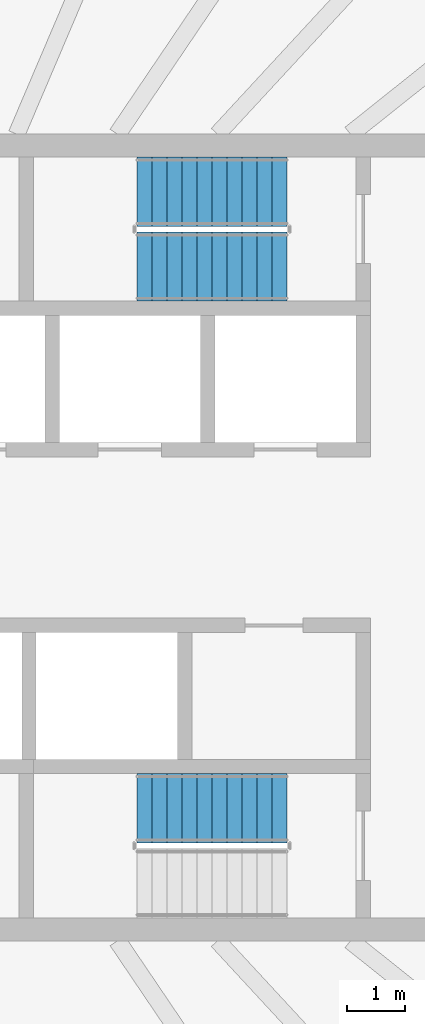
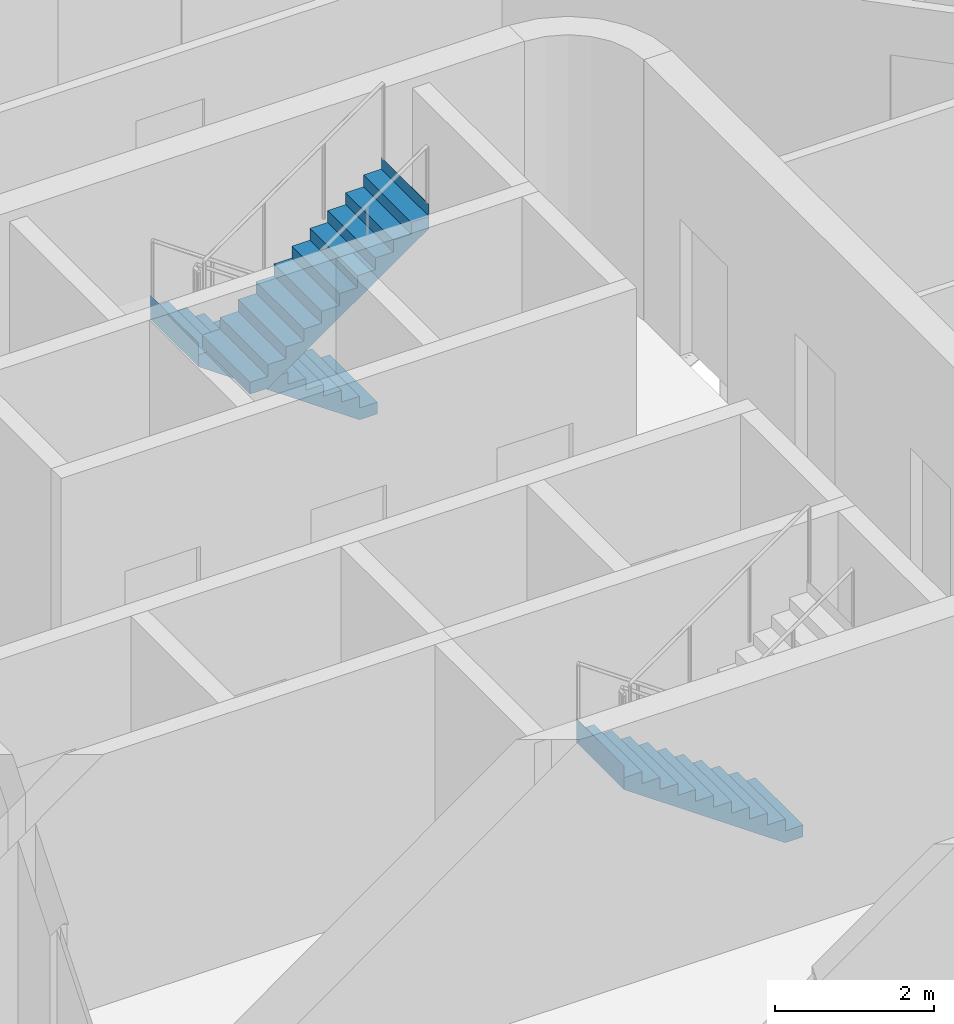
# One storey, part 13 of 19: 3 stair flights, 2 elements without a shape of their own.
"""IFC4 building model written with IfcOpenShell, lengths in metres."""

from ifc_helpers import new_model, si_unit, direction, frame, origin, place, context, subcontext, project, spatial, triangles, material, type_object, element, aggregate, save


model = new_model("IFC4")

# Units and contexts
model_context = context("Model", 3, precision=1e-05, world=origin(), true_north=direction((0.0, 1.0)))
body_context = subcontext(model_context, "Body", "Model", "MODEL_VIEW")
ifc_project = project(units=[si_unit("LENGTHUNIT", "METRE"), si_unit("AREAUNIT", "SQUARE_METRE"), si_unit("VOLUMEUNIT", "CUBIC_METRE"), si_unit("PLANEANGLEUNIT", "RADIAN"), si_unit("MASSUNIT", "GRAM", prefix="KILO")], contexts=[model_context])

# Site, building, storey
site_placement = place(None, origin())
site = spatial("IfcSite", under=ifc_project, at=site_placement, CompositionType="ELEMENT")
building_placement = place(site_placement, origin())
building = spatial("IfcBuilding", under=site, at=building_placement, Name="Sahrelin Media Tower", CompositionType="ELEMENT")
storey_placement = place(building_placement, frame((0.0, 0.0, 279.0)))
storey = spatial("IfcBuildingStorey", under=building, at=storey_placement, Name="L61", CompositionType="ELEMENT", Elevation=279.0)

# Stair, stair flights
ifc_material = material(Name="Concrete C40/50", Category="concrete")
stair_type = type_object("IfcStairType", Name="Exit stair 1200", PredefinedType="HALF_TURN_STAIR", material=ifc_material)
placement = place(storey_placement, origin())
stair_1 = element("IfcStair", 1, at=placement, inside=storey, type_object=stair_type, Name="L61 Exit stair ST3", PredefinedType="HALF_TURN_STAIR")
stair_flight_type = type_object("IfcStairFlightType", Name="Stair flight 1200", PredefinedType="STRAIGHT", material=ifc_material)
stair_flight_1_placement = place(storey_placement, frame((7.675048828125, 6.0, 0.0), z_axis=(0.0, 0.0, 1.0), x_axis=(-1.0, 0.0, 0.0)))
stair_flight_1 = element("IfcStairFlight", 2, at=stair_flight_1_placement, type_object=stair_flight_type, Name="ST3 flight 1", NumberOfRisers=11, NumberOfTreads=10, PredefinedType="STRAIGHT", RiserHeight=0.181818182, TreadLength=0.26, context=body_context, shape_type="Tessellation", body=[
    triangles([(0.261474609375, 0.60009765625, 0.0), (0.261474609375, 0.300048828125, 0.0), (0.261474609375, 0.0, 0.0), (0.261474609375, -0.300048828125, 0.0), (0.261474609375, -0.60009765625, 0.0), (2.60009765625, 0.60009765625, 1.63525390625), (2.60009765625, 0.300048828125, 1.63525390625), (2.60009765625, 0.0, 1.63525390625), (2.60009765625, -0.300048828125, 1.63525390625), (2.60009765625, -0.60009765625, 1.63525390625), (2.60009765625, 0.60009765625, 2.0), (2.60009765625, 0.300048828125, 2.0), (2.60009765625, 0.0, 2.0), (2.60009765625, -0.300048828125, 2.0), (2.60009765625, -0.60009765625, 2.0), (2.597900390625, 0.60009765625, 2.0), (2.597900390625, 0.300048828125, 2.0), (2.597900390625, 0.0, 2.0), (2.597900390625, -0.300048828125, 2.0), (2.597900390625, -0.60009765625, 2.0), (2.597900390625, 0.60009765625, 1.818115234375), (2.597900390625, 0.300048828125, 1.818115234375), (2.597900390625, 0.0, 1.818115234375), (2.597900390625, -0.300048828125, 1.818115234375), (2.597900390625, -0.60009765625, 1.818115234375), (2.340087890625, 0.60009765625, 1.818115234375), (2.340087890625, 0.300048828125, 1.818115234375), (2.340087890625, 0.0, 1.818115234375), (2.340087890625, -0.300048828125, 1.818115234375), (2.340087890625, -0.60009765625, 1.818115234375), (2.340087890625, 0.60009765625, 1.636474609375), (2.340087890625, 0.300048828125, 1.636474609375), (2.340087890625, 0.0, 1.636474609375), (2.340087890625, -0.300048828125, 1.636474609375), (2.340087890625, -0.60009765625, 1.636474609375), (2.080078125, 0.60009765625, 1.636474609375), (2.080078125, 0.300048828125, 1.636474609375), (2.080078125, 0.0, 1.636474609375), (2.080078125, -0.300048828125, 1.636474609375), (2.080078125, -0.60009765625, 1.636474609375), (2.080078125, 0.60009765625, 1.45458984375), (2.080078125, 0.300048828125, 1.45458984375), (2.080078125, 0.0, 1.45458984375), (2.080078125, -0.300048828125, 1.45458984375), (2.080078125, -0.60009765625, 1.45458984375), (1.820068359375, 0.60009765625, 1.45458984375), (1.820068359375, 0.300048828125, 1.45458984375), (1.820068359375, 0.0, 1.45458984375), (1.820068359375, -0.300048828125, 1.45458984375), (1.820068359375, -0.60009765625, 1.45458984375), (1.820068359375, 0.60009765625, 1.272705078125), (1.820068359375, 0.300048828125, 1.272705078125), (1.820068359375, 0.0, 1.272705078125), (1.820068359375, -0.300048828125, 1.272705078125), (1.820068359375, -0.60009765625, 1.272705078125), (1.56005859375, 0.60009765625, 1.272705078125), (1.56005859375, 0.300048828125, 1.272705078125), (1.56005859375, 0.0, 1.272705078125), (1.56005859375, -0.300048828125, 1.272705078125), (1.56005859375, -0.60009765625, 1.272705078125), (1.56005859375, 0.60009765625, 1.0908203125), (1.56005859375, 0.300048828125, 1.0908203125), (1.56005859375, 0.0, 1.0908203125), (1.56005859375, -0.300048828125, 1.0908203125), (1.56005859375, -0.60009765625, 1.0908203125), (1.300048828125, 0.60009765625, 1.0908203125), (1.300048828125, 0.300048828125, 1.0908203125), (1.300048828125, 0.0, 1.0908203125), (1.300048828125, -0.300048828125, 1.0908203125), (1.300048828125, -0.60009765625, 1.0908203125), (1.300048828125, 0.60009765625, 0.9091796875), (1.300048828125, 0.300048828125, 0.9091796875), (1.300048828125, 0.0, 0.9091796875), (1.300048828125, -0.300048828125, 0.9091796875), (1.300048828125, -0.60009765625, 0.9091796875), (1.0400390625, 0.60009765625, 0.9091796875), (1.0400390625, 0.300048828125, 0.9091796875), (1.0400390625, 0.0, 0.9091796875), (1.0400390625, -0.300048828125, 0.9091796875), (1.0400390625, -0.60009765625, 0.9091796875), (1.0400390625, 0.60009765625, 0.727294921875), (1.0400390625, 0.300048828125, 0.727294921875), (1.0400390625, 0.0, 0.727294921875), (1.0400390625, -0.300048828125, 0.727294921875), (1.0400390625, -0.60009765625, 0.727294921875), (0.780029296875, 0.60009765625, 0.727294921875), (0.780029296875, 0.300048828125, 0.727294921875), (0.780029296875, 0.0, 0.727294921875), (0.780029296875, -0.300048828125, 0.727294921875), (0.780029296875, -0.60009765625, 0.727294921875), (0.780029296875, 0.60009765625, 0.54541015625), (0.780029296875, 0.300048828125, 0.54541015625), (0.780029296875, 0.0, 0.54541015625), (0.780029296875, -0.300048828125, 0.54541015625), (0.780029296875, -0.60009765625, 0.54541015625), (0.52001953125, 0.60009765625, 0.54541015625), (0.52001953125, 0.300048828125, 0.54541015625), (0.52001953125, 0.0, 0.54541015625), (0.52001953125, -0.300048828125, 0.54541015625), (0.52001953125, -0.60009765625, 0.54541015625), (0.52001953125, 0.60009765625, 0.363525390625), (0.52001953125, 0.300048828125, 0.363525390625), (0.52001953125, 0.0, 0.363525390625), (0.52001953125, -0.300048828125, 0.363525390625), (0.52001953125, -0.60009765625, 0.363525390625), (0.260009765625, 0.60009765625, 0.363525390625), (0.260009765625, 0.300048828125, 0.363525390625), (0.260009765625, 0.0, 0.363525390625), (0.260009765625, -0.300048828125, 0.363525390625), (0.260009765625, -0.60009765625, 0.363525390625), (0.260009765625, 0.60009765625, 0.181884765625), (0.260009765625, 0.300048828125, 0.181884765625), (0.260009765625, 0.0, 0.181884765625), (0.260009765625, -0.300048828125, 0.181884765625), (0.260009765625, -0.60009765625, 0.181884765625), (0.0, 0.60009765625, 0.181884765625), (0.0, 0.300048828125, 0.181884765625), (0.0, 0.0, 0.181884765625), (0.0, -0.300048828125, 0.181884765625), (0.0, -0.60009765625, 0.181884765625), (0.0, 0.60009765625, 0.0), (0.0, 0.300048828125, 0.0), (0.0, 0.0, 0.0), (0.0, -0.300048828125, 0.0), (0.0, -0.60009765625, 0.0)], [[1, 6, 7], [1, 7, 2], [2, 7, 8], [2, 8, 3], [3, 8, 9], [3, 9, 4], [4, 9, 10], [4, 10, 5], [6, 11, 12], [6, 12, 7], [7, 12, 13], [7, 13, 8], [8, 13, 14], [8, 14, 9], [9, 14, 15], [9, 15, 10], [11, 16, 17], [11, 17, 12], [12, 17, 18], [12, 18, 13], [13, 18, 19], [13, 19, 14], [14, 19, 20], [14, 20, 15], [16, 21, 22], [16, 22, 17], [17, 22, 23], [17, 23, 18], [18, 23, 24], [18, 24, 19], [19, 24, 25], [19, 25, 20], [21, 26, 27], [21, 27, 22], [22, 27, 28], [22, 28, 23], [23, 28, 29], [23, 29, 24], [24, 29, 30], [24, 30, 25], [26, 31, 32], [26, 32, 27], [27, 32, 33], [27, 33, 28], [28, 33, 34], [28, 34, 29], [29, 34, 35], [29, 35, 30], [31, 36, 37], [31, 37, 32], [32, 37, 38], [32, 38, 33], [33, 38, 39], [33, 39, 34], [34, 39, 40], [34, 40, 35], [36, 41, 42], [36, 42, 37], [37, 42, 43], [37, 43, 38], [38, 43, 44], [38, 44, 39], [39, 44, 45], [39, 45, 40], [41, 46, 47], [41, 47, 42], [42, 47, 48], [42, 48, 43], [43, 48, 49], [43, 49, 44], [44, 49, 50], [44, 50, 45], [46, 51, 52], [46, 52, 47], [47, 52, 53], [47, 53, 48], [48, 53, 54], [48, 54, 49], [49, 54, 55], [49, 55, 50], [51, 56, 57], [51, 57, 52], [52, 57, 58], [52, 58, 53], [53, 58, 59], [53, 59, 54], [54, 59, 60], [54, 60, 55], [56, 61, 62], [56, 62, 57], [57, 62, 63], [57, 63, 58], [58, 63, 64], [58, 64, 59], [59, 64, 65], [59, 65, 60], [61, 66, 67], [61, 67, 62], [62, 67, 68], [62, 68, 63], [63, 68, 69], [63, 69, 64], [64, 69, 70], [64, 70, 65], [66, 71, 72], [66, 72, 67], [67, 72, 73], [67, 73, 68], [68, 73, 74], [68, 74, 69], [69, 74, 75], [69, 75, 70], [71, 76, 77], [71, 77, 72], [72, 77, 78], [72, 78, 73], [73, 78, 79], [73, 79, 74], [74, 79, 80], [74, 80, 75], [76, 81, 82], [76, 82, 77], [77, 82, 83], [77, 83, 78], [78, 83, 84], [78, 84, 79], [79, 84, 85], [79, 85, 80], [81, 86, 87], [81, 87, 82], [82, 87, 88], [82, 88, 83], [83, 88, 89], [83, 89, 84], [84, 89, 90], [84, 90, 85], [86, 91, 92], [86, 92, 87], [87, 92, 93], [87, 93, 88], [88, 93, 94], [88, 94, 89], [89, 94, 95], [89, 95, 90], [91, 96, 97], [91, 97, 92], [92, 97, 98], [92, 98, 93], [93, 98, 99], [93, 99, 94], [94, 99, 100], [94, 100, 95], [96, 101, 102], [96, 102, 97], [97, 102, 103], [97, 103, 98], [98, 103, 104], [98, 104, 99], [99, 104, 105], [99, 105, 100], [101, 106, 107], [101, 107, 102], [102, 107, 108], [102, 108, 103], [103, 108, 109], [103, 109, 104], [104, 109, 110], [104, 110, 105], [106, 111, 112], [106, 112, 107], [107, 112, 113], [107, 113, 108], [108, 113, 114], [108, 114, 109], [109, 114, 115], [109, 115, 110], [111, 116, 117], [111, 117, 112], [112, 117, 118], [112, 118, 113], [113, 118, 119], [113, 119, 114], [114, 119, 120], [114, 120, 115], [116, 121, 122], [116, 122, 117], [117, 122, 123], [117, 123, 118], [118, 123, 124], [118, 124, 119], [119, 124, 125], [119, 125, 120], [121, 1, 2], [121, 2, 122], [122, 2, 3], [122, 3, 123], [123, 3, 4], [123, 4, 124], [124, 4, 5], [124, 5, 125], [115, 120, 125], [111, 121, 116], [115, 105, 110], [111, 106, 101], [105, 95, 100], [101, 96, 91], [95, 85, 90], [91, 86, 81], [85, 75, 80], [81, 76, 71], [75, 65, 70], [71, 66, 61], [65, 55, 60], [61, 56, 51], [55, 45, 50], [51, 46, 41], [45, 35, 40], [41, 36, 31], [35, 25, 30], [31, 26, 21], [25, 15, 20], [21, 16, 11], [125, 5, 115], [121, 111, 1], [25, 10, 15], [21, 11, 6], [105, 115, 5], [101, 1, 111], [35, 10, 25], [31, 21, 6], [95, 105, 5], [91, 1, 101], [45, 10, 35], [41, 31, 6], [85, 95, 5], [81, 1, 91], [55, 10, 45], [51, 41, 6], [75, 85, 5], [71, 1, 81], [65, 10, 55], [61, 51, 6], [5, 10, 75], [1, 71, 6], [75, 10, 65], [71, 61, 6]], closed=True),
])
stair_flight_2_placement = place(storey_placement, frame((5.074951171875, 4.699951171875, 2.0), z_axis=(0.0, 0.0, 1.0), x_axis=(1.0, 0.0, 0.0)))
stair_flight_2 = element("IfcStairFlight", 3, at=stair_flight_2_placement, type_object=stair_flight_type, Name="ST3 flight 2", NumberOfRisers=11, NumberOfTreads=10, PredefinedType="STRAIGHT", RiserHeight=0.181818182, TreadLength=0.26, context=body_context, shape_type="Tessellation", body=[
    triangles([(0.261474609375, 0.60009765625, 0.0), (0.261474609375, 0.300048828125, 0.0), (0.261474609375, 0.0, 0.0), (0.261474609375, -0.300048828125, 0.0), (0.261474609375, -0.60009765625, 0.0), (2.60009765625, 0.60009765625, 1.63525390625), (2.60009765625, 0.300048828125, 1.63525390625), (2.60009765625, 0.0, 1.63525390625), (2.60009765625, -0.300048828125, 1.63525390625), (2.60009765625, -0.60009765625, 1.63525390625), (2.60009765625, 0.60009765625, 2.0), (2.60009765625, 0.300048828125, 2.0), (2.60009765625, 0.0, 2.0), (2.60009765625, -0.300048828125, 2.0), (2.60009765625, -0.60009765625, 2.0), (2.597900390625, 0.60009765625, 2.0), (2.597900390625, 0.300048828125, 2.0), (2.597900390625, 0.0, 2.0), (2.597900390625, -0.300048828125, 2.0), (2.597900390625, -0.60009765625, 2.0), (2.597900390625, 0.60009765625, 1.818115234375), (2.597900390625, 0.300048828125, 1.818115234375), (2.597900390625, 0.0, 1.818115234375), (2.597900390625, -0.300048828125, 1.818115234375), (2.597900390625, -0.60009765625, 1.818115234375), (2.340087890625, 0.60009765625, 1.818115234375), (2.340087890625, 0.300048828125, 1.818115234375), (2.340087890625, 0.0, 1.818115234375), (2.340087890625, -0.300048828125, 1.818115234375), (2.340087890625, -0.60009765625, 1.818115234375), (2.340087890625, 0.60009765625, 1.636474609375), (2.340087890625, 0.300048828125, 1.636474609375), (2.340087890625, 0.0, 1.636474609375), (2.340087890625, -0.300048828125, 1.636474609375), (2.340087890625, -0.60009765625, 1.636474609375), (2.080078125, 0.60009765625, 1.636474609375), (2.080078125, 0.300048828125, 1.636474609375), (2.080078125, 0.0, 1.636474609375), (2.080078125, -0.300048828125, 1.636474609375), (2.080078125, -0.60009765625, 1.636474609375), (2.080078125, 0.60009765625, 1.45458984375), (2.080078125, 0.300048828125, 1.45458984375), (2.080078125, 0.0, 1.45458984375), (2.080078125, -0.300048828125, 1.45458984375), (2.080078125, -0.60009765625, 1.45458984375), (1.820068359375, 0.60009765625, 1.45458984375), (1.820068359375, 0.300048828125, 1.45458984375), (1.820068359375, 0.0, 1.45458984375), (1.820068359375, -0.300048828125, 1.45458984375), (1.820068359375, -0.60009765625, 1.45458984375), (1.820068359375, 0.60009765625, 1.272705078125), (1.820068359375, 0.300048828125, 1.272705078125), (1.820068359375, 0.0, 1.272705078125), (1.820068359375, -0.300048828125, 1.272705078125), (1.820068359375, -0.60009765625, 1.272705078125), (1.56005859375, 0.60009765625, 1.272705078125), (1.56005859375, 0.300048828125, 1.272705078125), (1.56005859375, 0.0, 1.272705078125), (1.56005859375, -0.300048828125, 1.272705078125), (1.56005859375, -0.60009765625, 1.272705078125), (1.56005859375, 0.60009765625, 1.0908203125), (1.56005859375, 0.300048828125, 1.0908203125), (1.56005859375, 0.0, 1.0908203125), (1.56005859375, -0.300048828125, 1.0908203125), (1.56005859375, -0.60009765625, 1.0908203125), (1.300048828125, 0.60009765625, 1.0908203125), (1.300048828125, 0.300048828125, 1.0908203125), (1.300048828125, 0.0, 1.0908203125), (1.300048828125, -0.300048828125, 1.0908203125), (1.300048828125, -0.60009765625, 1.0908203125), (1.300048828125, 0.60009765625, 0.9091796875), (1.300048828125, 0.300048828125, 0.9091796875), (1.300048828125, 0.0, 0.9091796875), (1.300048828125, -0.300048828125, 0.9091796875), (1.300048828125, -0.60009765625, 0.9091796875), (1.0400390625, 0.60009765625, 0.9091796875), (1.0400390625, 0.300048828125, 0.9091796875), (1.0400390625, 0.0, 0.9091796875), (1.0400390625, -0.300048828125, 0.9091796875), (1.0400390625, -0.60009765625, 0.9091796875), (1.0400390625, 0.60009765625, 0.727294921875), (1.0400390625, 0.300048828125, 0.727294921875), (1.0400390625, 0.0, 0.727294921875), (1.0400390625, -0.300048828125, 0.727294921875), (1.0400390625, -0.60009765625, 0.727294921875), (0.780029296875, 0.60009765625, 0.727294921875), (0.780029296875, 0.300048828125, 0.727294921875), (0.780029296875, 0.0, 0.727294921875), (0.780029296875, -0.300048828125, 0.727294921875), (0.780029296875, -0.60009765625, 0.727294921875), (0.780029296875, 0.60009765625, 0.54541015625), (0.780029296875, 0.300048828125, 0.54541015625), (0.780029296875, 0.0, 0.54541015625), (0.780029296875, -0.300048828125, 0.54541015625), (0.780029296875, -0.60009765625, 0.54541015625), (0.52001953125, 0.60009765625, 0.54541015625), (0.52001953125, 0.300048828125, 0.54541015625), (0.52001953125, 0.0, 0.54541015625), (0.52001953125, -0.300048828125, 0.54541015625), (0.52001953125, -0.60009765625, 0.54541015625), (0.52001953125, 0.60009765625, 0.363525390625), (0.52001953125, 0.300048828125, 0.363525390625), (0.52001953125, 0.0, 0.363525390625), (0.52001953125, -0.300048828125, 0.363525390625), (0.52001953125, -0.60009765625, 0.363525390625), (0.260009765625, 0.60009765625, 0.363525390625), (0.260009765625, 0.300048828125, 0.363525390625), (0.260009765625, 0.0, 0.363525390625), (0.260009765625, -0.300048828125, 0.363525390625), (0.260009765625, -0.60009765625, 0.363525390625), (0.260009765625, 0.60009765625, 0.181884765625), (0.260009765625, 0.300048828125, 0.181884765625), (0.260009765625, 0.0, 0.181884765625), (0.260009765625, -0.300048828125, 0.181884765625), (0.260009765625, -0.60009765625, 0.181884765625), (0.0, 0.60009765625, 0.181884765625), (0.0, 0.300048828125, 0.181884765625), (0.0, 0.0, 0.181884765625), (0.0, -0.300048828125, 0.181884765625), (0.0, -0.60009765625, 0.181884765625), (0.0, 0.60009765625, 0.0), (0.0, 0.300048828125, 0.0), (0.0, 0.0, 0.0), (0.0, -0.300048828125, 0.0), (0.0, -0.60009765625, 0.0)], [[1, 6, 7], [1, 7, 2], [2, 7, 8], [2, 8, 3], [3, 8, 9], [3, 9, 4], [4, 9, 10], [4, 10, 5], [6, 11, 12], [6, 12, 7], [7, 12, 13], [7, 13, 8], [8, 13, 14], [8, 14, 9], [9, 14, 15], [9, 15, 10], [11, 16, 17], [11, 17, 12], [12, 17, 18], [12, 18, 13], [13, 18, 19], [13, 19, 14], [14, 19, 20], [14, 20, 15], [16, 21, 22], [16, 22, 17], [17, 22, 23], [17, 23, 18], [18, 23, 24], [18, 24, 19], [19, 24, 25], [19, 25, 20], [21, 26, 27], [21, 27, 22], [22, 27, 28], [22, 28, 23], [23, 28, 29], [23, 29, 24], [24, 29, 30], [24, 30, 25], [26, 31, 32], [26, 32, 27], [27, 32, 33], [27, 33, 28], [28, 33, 34], [28, 34, 29], [29, 34, 35], [29, 35, 30], [31, 36, 37], [31, 37, 32], [32, 37, 38], [32, 38, 33], [33, 38, 39], [33, 39, 34], [34, 39, 40], [34, 40, 35], [36, 41, 42], [36, 42, 37], [37, 42, 43], [37, 43, 38], [38, 43, 44], [38, 44, 39], [39, 44, 45], [39, 45, 40], [41, 46, 47], [41, 47, 42], [42, 47, 48], [42, 48, 43], [43, 48, 49], [43, 49, 44], [44, 49, 50], [44, 50, 45], [46, 51, 52], [46, 52, 47], [47, 52, 53], [47, 53, 48], [48, 53, 54], [48, 54, 49], [49, 54, 55], [49, 55, 50], [51, 56, 57], [51, 57, 52], [52, 57, 58], [52, 58, 53], [53, 58, 59], [53, 59, 54], [54, 59, 60], [54, 60, 55], [56, 61, 62], [56, 62, 57], [57, 62, 63], [57, 63, 58], [58, 63, 64], [58, 64, 59], [59, 64, 65], [59, 65, 60], [61, 66, 67], [61, 67, 62], [62, 67, 68], [62, 68, 63], [63, 68, 69], [63, 69, 64], [64, 69, 70], [64, 70, 65], [66, 71, 72], [66, 72, 67], [67, 72, 73], [67, 73, 68], [68, 73, 74], [68, 74, 69], [69, 74, 75], [69, 75, 70], [71, 76, 77], [71, 77, 72], [72, 77, 78], [72, 78, 73], [73, 78, 79], [73, 79, 74], [74, 79, 80], [74, 80, 75], [76, 81, 82], [76, 82, 77], [77, 82, 83], [77, 83, 78], [78, 83, 84], [78, 84, 79], [79, 84, 85], [79, 85, 80], [81, 86, 87], [81, 87, 82], [82, 87, 88], [82, 88, 83], [83, 88, 89], [83, 89, 84], [84, 89, 90], [84, 90, 85], [86, 91, 92], [86, 92, 87], [87, 92, 93], [87, 93, 88], [88, 93, 94], [88, 94, 89], [89, 94, 95], [89, 95, 90], [91, 96, 97], [91, 97, 92], [92, 97, 98], [92, 98, 93], [93, 98, 99], [93, 99, 94], [94, 99, 100], [94, 100, 95], [96, 101, 102], [96, 102, 97], [97, 102, 103], [97, 103, 98], [98, 103, 104], [98, 104, 99], [99, 104, 105], [99, 105, 100], [101, 106, 107], [101, 107, 102], [102, 107, 108], [102, 108, 103], [103, 108, 109], [103, 109, 104], [104, 109, 110], [104, 110, 105], [106, 111, 112], [106, 112, 107], [107, 112, 113], [107, 113, 108], [108, 113, 114], [108, 114, 109], [109, 114, 115], [109, 115, 110], [111, 116, 117], [111, 117, 112], [112, 117, 118], [112, 118, 113], [113, 118, 119], [113, 119, 114], [114, 119, 120], [114, 120, 115], [116, 121, 122], [116, 122, 117], [117, 122, 123], [117, 123, 118], [118, 123, 124], [118, 124, 119], [119, 124, 125], [119, 125, 120], [121, 1, 2], [121, 2, 122], [122, 2, 3], [122, 3, 123], [123, 3, 4], [123, 4, 124], [124, 4, 5], [124, 5, 125], [115, 120, 125], [111, 121, 116], [115, 105, 110], [111, 106, 101], [105, 95, 100], [101, 96, 91], [95, 85, 90], [91, 86, 81], [85, 75, 80], [81, 76, 71], [75, 65, 70], [71, 66, 61], [65, 55, 60], [61, 56, 51], [55, 45, 50], [51, 46, 41], [45, 35, 40], [41, 36, 31], [35, 25, 30], [31, 26, 21], [25, 15, 20], [21, 16, 11], [125, 5, 115], [121, 111, 1], [25, 10, 15], [21, 11, 6], [105, 115, 5], [101, 1, 111], [35, 10, 25], [31, 21, 6], [95, 105, 5], [91, 1, 101], [45, 10, 35], [41, 31, 6], [85, 95, 5], [81, 1, 91], [55, 10, 45], [51, 41, 6], [75, 85, 5], [71, 1, 81], [65, 10, 55], [61, 51, 6], [5, 10, 75], [1, 71, 6], [75, 10, 65], [71, 61, 6]], closed=True),
])
aggregate(stair_1, [stair_flight_1, stair_flight_2])

# Stair, stair flight
stair_2 = element("IfcStair", 4, at=placement, inside=storey, type_object=stair_type, Name="L61 Exit stair ST2", PredefinedType="HALF_TURN_STAIR")
stair_flight_3_placement = place(storey_placement, frame((7.675048828125, -4.699951171875, 0.0), z_axis=(0.0, 0.0, 1.0), x_axis=(-1.0, 0.0, 0.0)))
stair_flight_3 = element("IfcStairFlight", 5, at=stair_flight_3_placement, type_object=stair_flight_type, Name="ST2 flight 1", NumberOfRisers=11, NumberOfTreads=10, PredefinedType="STRAIGHT", RiserHeight=0.181818182, TreadLength=0.26, context=body_context, shape_type="Tessellation", body=[
    triangles([(0.261474609375, 0.60009765625, 0.0), (0.261474609375, 0.300048828125, 0.0), (0.261474609375, 0.0, 0.0), (0.261474609375, -0.300048828125, 0.0), (0.261474609375, -0.60009765625, 0.0), (2.60009765625, 0.60009765625, 1.63525390625), (2.60009765625, 0.300048828125, 1.63525390625), (2.60009765625, 0.0, 1.63525390625), (2.60009765625, -0.300048828125, 1.63525390625), (2.60009765625, -0.60009765625, 1.63525390625), (2.60009765625, 0.60009765625, 2.0), (2.60009765625, 0.300048828125, 2.0), (2.60009765625, 0.0, 2.0), (2.60009765625, -0.300048828125, 2.0), (2.60009765625, -0.60009765625, 2.0), (2.597900390625, 0.60009765625, 2.0), (2.597900390625, 0.300048828125, 2.0), (2.597900390625, 0.0, 2.0), (2.597900390625, -0.300048828125, 2.0), (2.597900390625, -0.60009765625, 2.0), (2.597900390625, 0.60009765625, 1.818115234375), (2.597900390625, 0.300048828125, 1.818115234375), (2.597900390625, 0.0, 1.818115234375), (2.597900390625, -0.300048828125, 1.818115234375), (2.597900390625, -0.60009765625, 1.818115234375), (2.340087890625, 0.60009765625, 1.818115234375), (2.340087890625, 0.300048828125, 1.818115234375), (2.340087890625, 0.0, 1.818115234375), (2.340087890625, -0.300048828125, 1.818115234375), (2.340087890625, -0.60009765625, 1.818115234375), (2.340087890625, 0.60009765625, 1.636474609375), (2.340087890625, 0.300048828125, 1.636474609375), (2.340087890625, 0.0, 1.636474609375), (2.340087890625, -0.300048828125, 1.636474609375), (2.340087890625, -0.60009765625, 1.636474609375), (2.080078125, 0.60009765625, 1.636474609375), (2.080078125, 0.300048828125, 1.636474609375), (2.080078125, 0.0, 1.636474609375), (2.080078125, -0.300048828125, 1.636474609375), (2.080078125, -0.60009765625, 1.636474609375), (2.080078125, 0.60009765625, 1.45458984375), (2.080078125, 0.300048828125, 1.45458984375), (2.080078125, 0.0, 1.45458984375), (2.080078125, -0.300048828125, 1.45458984375), (2.080078125, -0.60009765625, 1.45458984375), (1.820068359375, 0.60009765625, 1.45458984375), (1.820068359375, 0.300048828125, 1.45458984375), (1.820068359375, 0.0, 1.45458984375), (1.820068359375, -0.300048828125, 1.45458984375), (1.820068359375, -0.60009765625, 1.45458984375), (1.820068359375, 0.60009765625, 1.272705078125), (1.820068359375, 0.300048828125, 1.272705078125), (1.820068359375, 0.0, 1.272705078125), (1.820068359375, -0.300048828125, 1.272705078125), (1.820068359375, -0.60009765625, 1.272705078125), (1.56005859375, 0.60009765625, 1.272705078125), (1.56005859375, 0.300048828125, 1.272705078125), (1.56005859375, 0.0, 1.272705078125), (1.56005859375, -0.300048828125, 1.272705078125), (1.56005859375, -0.60009765625, 1.272705078125), (1.56005859375, 0.60009765625, 1.0908203125), (1.56005859375, 0.300048828125, 1.0908203125), (1.56005859375, 0.0, 1.0908203125), (1.56005859375, -0.300048828125, 1.0908203125), (1.56005859375, -0.60009765625, 1.0908203125), (1.300048828125, 0.60009765625, 1.0908203125), (1.300048828125, 0.300048828125, 1.0908203125), (1.300048828125, 0.0, 1.0908203125), (1.300048828125, -0.300048828125, 1.0908203125), (1.300048828125, -0.60009765625, 1.0908203125), (1.300048828125, 0.60009765625, 0.9091796875), (1.300048828125, 0.300048828125, 0.9091796875), (1.300048828125, 0.0, 0.9091796875), (1.300048828125, -0.300048828125, 0.9091796875), (1.300048828125, -0.60009765625, 0.9091796875), (1.0400390625, 0.60009765625, 0.9091796875), (1.0400390625, 0.300048828125, 0.9091796875), (1.0400390625, 0.0, 0.9091796875), (1.0400390625, -0.300048828125, 0.9091796875), (1.0400390625, -0.60009765625, 0.9091796875), (1.0400390625, 0.60009765625, 0.727294921875), (1.0400390625, 0.300048828125, 0.727294921875), (1.0400390625, 0.0, 0.727294921875), (1.0400390625, -0.300048828125, 0.727294921875), (1.0400390625, -0.60009765625, 0.727294921875), (0.780029296875, 0.60009765625, 0.727294921875), (0.780029296875, 0.300048828125, 0.727294921875), (0.780029296875, 0.0, 0.727294921875), (0.780029296875, -0.300048828125, 0.727294921875), (0.780029296875, -0.60009765625, 0.727294921875), (0.780029296875, 0.60009765625, 0.54541015625), (0.780029296875, 0.300048828125, 0.54541015625), (0.780029296875, 0.0, 0.54541015625), (0.780029296875, -0.300048828125, 0.54541015625), (0.780029296875, -0.60009765625, 0.54541015625), (0.52001953125, 0.60009765625, 0.54541015625), (0.52001953125, 0.300048828125, 0.54541015625), (0.52001953125, 0.0, 0.54541015625), (0.52001953125, -0.300048828125, 0.54541015625), (0.52001953125, -0.60009765625, 0.54541015625), (0.52001953125, 0.60009765625, 0.363525390625), (0.52001953125, 0.300048828125, 0.363525390625), (0.52001953125, 0.0, 0.363525390625), (0.52001953125, -0.300048828125, 0.363525390625), (0.52001953125, -0.60009765625, 0.363525390625), (0.260009765625, 0.60009765625, 0.363525390625), (0.260009765625, 0.300048828125, 0.363525390625), (0.260009765625, 0.0, 0.363525390625), (0.260009765625, -0.300048828125, 0.363525390625), (0.260009765625, -0.60009765625, 0.363525390625), (0.260009765625, 0.60009765625, 0.181884765625), (0.260009765625, 0.300048828125, 0.181884765625), (0.260009765625, 0.0, 0.181884765625), (0.260009765625, -0.300048828125, 0.181884765625), (0.260009765625, -0.60009765625, 0.181884765625), (0.0, 0.60009765625, 0.181884765625), (0.0, 0.300048828125, 0.181884765625), (0.0, 0.0, 0.181884765625), (0.0, -0.300048828125, 0.181884765625), (0.0, -0.60009765625, 0.181884765625), (0.0, 0.60009765625, 0.0), (0.0, 0.300048828125, 0.0), (0.0, 0.0, 0.0), (0.0, -0.300048828125, 0.0), (0.0, -0.60009765625, 0.0)], [[1, 6, 7], [1, 7, 2], [2, 7, 8], [2, 8, 3], [3, 8, 9], [3, 9, 4], [4, 9, 10], [4, 10, 5], [6, 11, 12], [6, 12, 7], [7, 12, 13], [7, 13, 8], [8, 13, 14], [8, 14, 9], [9, 14, 15], [9, 15, 10], [11, 16, 17], [11, 17, 12], [12, 17, 18], [12, 18, 13], [13, 18, 19], [13, 19, 14], [14, 19, 20], [14, 20, 15], [16, 21, 22], [16, 22, 17], [17, 22, 23], [17, 23, 18], [18, 23, 24], [18, 24, 19], [19, 24, 25], [19, 25, 20], [21, 26, 27], [21, 27, 22], [22, 27, 28], [22, 28, 23], [23, 28, 29], [23, 29, 24], [24, 29, 30], [24, 30, 25], [26, 31, 32], [26, 32, 27], [27, 32, 33], [27, 33, 28], [28, 33, 34], [28, 34, 29], [29, 34, 35], [29, 35, 30], [31, 36, 37], [31, 37, 32], [32, 37, 38], [32, 38, 33], [33, 38, 39], [33, 39, 34], [34, 39, 40], [34, 40, 35], [36, 41, 42], [36, 42, 37], [37, 42, 43], [37, 43, 38], [38, 43, 44], [38, 44, 39], [39, 44, 45], [39, 45, 40], [41, 46, 47], [41, 47, 42], [42, 47, 48], [42, 48, 43], [43, 48, 49], [43, 49, 44], [44, 49, 50], [44, 50, 45], [46, 51, 52], [46, 52, 47], [47, 52, 53], [47, 53, 48], [48, 53, 54], [48, 54, 49], [49, 54, 55], [49, 55, 50], [51, 56, 57], [51, 57, 52], [52, 57, 58], [52, 58, 53], [53, 58, 59], [53, 59, 54], [54, 59, 60], [54, 60, 55], [56, 61, 62], [56, 62, 57], [57, 62, 63], [57, 63, 58], [58, 63, 64], [58, 64, 59], [59, 64, 65], [59, 65, 60], [61, 66, 67], [61, 67, 62], [62, 67, 68], [62, 68, 63], [63, 68, 69], [63, 69, 64], [64, 69, 70], [64, 70, 65], [66, 71, 72], [66, 72, 67], [67, 72, 73], [67, 73, 68], [68, 73, 74], [68, 74, 69], [69, 74, 75], [69, 75, 70], [71, 76, 77], [71, 77, 72], [72, 77, 78], [72, 78, 73], [73, 78, 79], [73, 79, 74], [74, 79, 80], [74, 80, 75], [76, 81, 82], [76, 82, 77], [77, 82, 83], [77, 83, 78], [78, 83, 84], [78, 84, 79], [79, 84, 85], [79, 85, 80], [81, 86, 87], [81, 87, 82], [82, 87, 88], [82, 88, 83], [83, 88, 89], [83, 89, 84], [84, 89, 90], [84, 90, 85], [86, 91, 92], [86, 92, 87], [87, 92, 93], [87, 93, 88], [88, 93, 94], [88, 94, 89], [89, 94, 95], [89, 95, 90], [91, 96, 97], [91, 97, 92], [92, 97, 98], [92, 98, 93], [93, 98, 99], [93, 99, 94], [94, 99, 100], [94, 100, 95], [96, 101, 102], [96, 102, 97], [97, 102, 103], [97, 103, 98], [98, 103, 104], [98, 104, 99], [99, 104, 105], [99, 105, 100], [101, 106, 107], [101, 107, 102], [102, 107, 108], [102, 108, 103], [103, 108, 109], [103, 109, 104], [104, 109, 110], [104, 110, 105], [106, 111, 112], [106, 112, 107], [107, 112, 113], [107, 113, 108], [108, 113, 114], [108, 114, 109], [109, 114, 115], [109, 115, 110], [111, 116, 117], [111, 117, 112], [112, 117, 118], [112, 118, 113], [113, 118, 119], [113, 119, 114], [114, 119, 120], [114, 120, 115], [116, 121, 122], [116, 122, 117], [117, 122, 123], [117, 123, 118], [118, 123, 124], [118, 124, 119], [119, 124, 125], [119, 125, 120], [121, 1, 2], [121, 2, 122], [122, 2, 3], [122, 3, 123], [123, 3, 4], [123, 4, 124], [124, 4, 5], [124, 5, 125], [115, 120, 125], [111, 121, 116], [115, 105, 110], [111, 106, 101], [105, 95, 100], [101, 96, 91], [95, 85, 90], [91, 86, 81], [85, 75, 80], [81, 76, 71], [75, 65, 70], [71, 66, 61], [65, 55, 60], [61, 56, 51], [55, 45, 50], [51, 46, 41], [45, 35, 40], [41, 36, 31], [35, 25, 30], [31, 26, 21], [25, 15, 20], [21, 16, 11], [125, 5, 115], [121, 111, 1], [25, 10, 15], [21, 11, 6], [105, 115, 5], [101, 1, 111], [35, 10, 25], [31, 21, 6], [95, 105, 5], [91, 1, 101], [45, 10, 35], [41, 31, 6], [85, 95, 5], [81, 1, 91], [55, 10, 45], [51, 41, 6], [75, 85, 5], [71, 1, 81], [65, 10, 55], [61, 51, 6], [5, 10, 75], [1, 71, 6], [75, 10, 65], [71, 61, 6]], closed=True),
])
aggregate(stair_2, [stair_flight_3])

save(model, "model.ifc")
